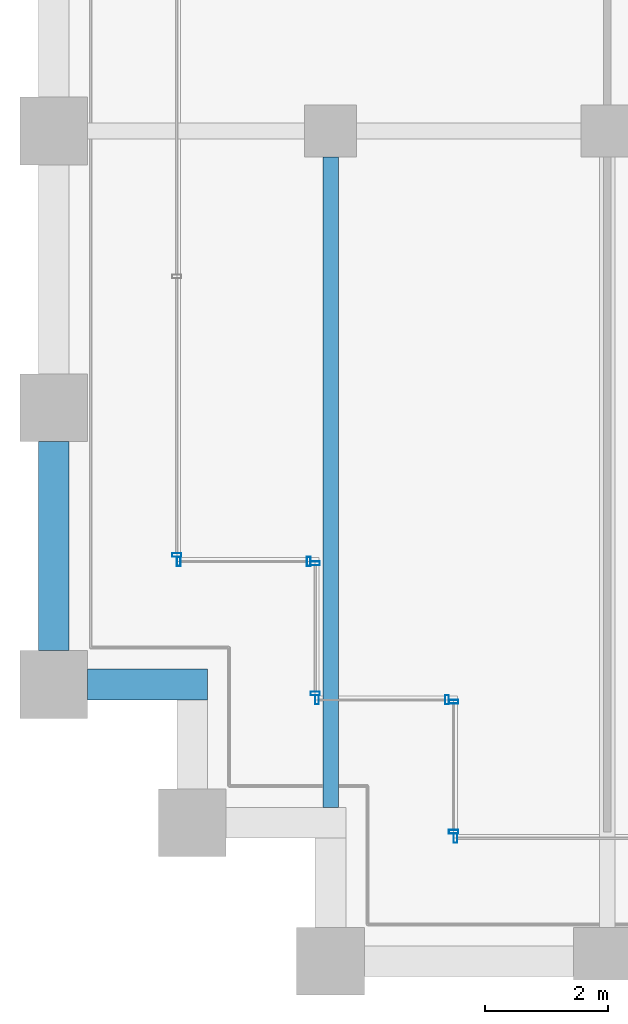
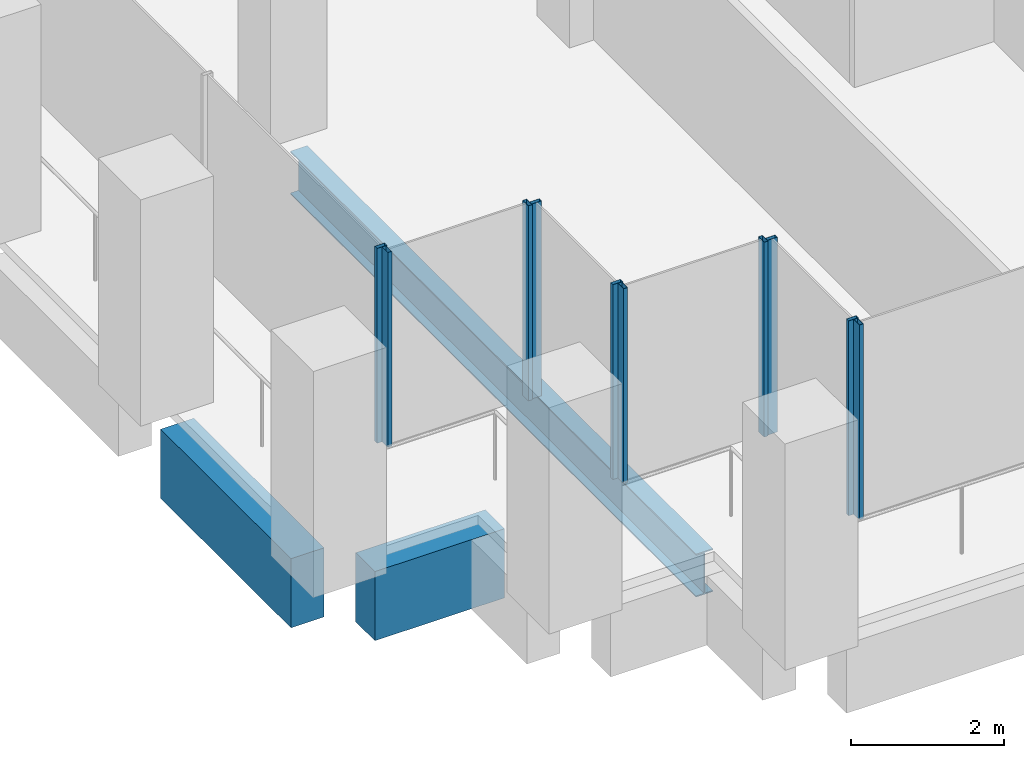
# One storey, part 2 of 54: 10 members, 3 beams, 6 elements without a shape of their own.
"""IFC4 building model written with IfcOpenShell, lengths in metres."""

from ifc_helpers import new_model, si_unit, direction, frame, origin, origin_2d, place, context, subcontext, project, spatial, rectangle, hollow_rectangle, i_section, extrude, material, material_profile, profile_set, type_object, element, aggregate, save


model = new_model("IFC4")

# Units and contexts
model_context = context("Model", 3, precision=1e-05, world=origin(), true_north=direction((0.0, 1.0)))
body_context = subcontext(model_context, "Body", "Model", "MODEL_VIEW")
ifc_project = project(units=[si_unit("LENGTHUNIT", "METRE"), si_unit("AREAUNIT", "SQUARE_METRE"), si_unit("VOLUMEUNIT", "CUBIC_METRE"), si_unit("PLANEANGLEUNIT", "RADIAN"), si_unit("MASSUNIT", "GRAM", prefix="KILO")], contexts=[model_context])

# Site, building, storey
site_placement = place(None, origin())
site = spatial("IfcSite", under=ifc_project, at=site_placement, CompositionType="ELEMENT")
building_placement = place(site_placement, origin())
building = spatial("IfcBuilding", under=site, at=building_placement, Name="Altepetl Exchange Towers", CompositionType="ELEMENT")
storey_placement = place(building_placement, frame((0.0, 0.0, 65.39990234375)))
storey = spatial("IfcBuildingStorey", under=building, at=storey_placement, Name="L15", CompositionType="ELEMENT", Elevation=65.39990234375)

# Beam
ifc_material_1 = material(Name="Steel S355", Category="steel")
ifc_material_profile_1 = material_profile(ifc_material_1, i_section(OverallWidth=0.25390625, OverallDepth=0.68408203125, WebThickness=0.012451171875, FlangeThickness=0.018798828125, at=origin_2d()), Name="W27X94")
ifc_profile_set_1 = profile_set([ifc_material_profile_1], Name="Steel S355")
beam_type_1 = type_object("IfcBeamType", Name="Floor beam W27X94", PredefinedType="BEAM", material=ifc_profile_set_1)
beam_1_placement = place(storey_placement, frame((31.5, 29.5, -0.491943359375), z_axis=(0.0, 1.0, 0.0), x_axis=(-1.0, 0.0, 0.0)))
element("IfcBeam", 1, at=beam_1_placement, inside=storey, type_object=beam_type_1, Name="bm:A:L15:012", PredefinedType="BEAM", context=body_context, shape_type="SweptSolid", body=[
    extrude(i_section(OverallWidth=0.25390625, OverallDepth=0.68408203125, WebThickness=0.012451171875, FlangeThickness=0.018798828125, at=origin_2d()), origin(), (0.0, 0.0, 1.0), 10.574951171875),
])

# Curtain wall, member
ifc_material_2 = material(Name="Aluminium 6063-T6 glazing", Category="aluminium")
curtain_wall_type = type_object("IfcCurtainWallType", Name="Loggia glazing system", PredefinedType="NOTDEFINED", material=ifc_material_2)
curtain_wall_1_placement = place(storey_placement, origin())
curtain_wall_1 = element("IfcCurtainWall", 2, at=curtain_wall_1_placement, inside=storey, type_object=curtain_wall_type, Name="CW1 run", PredefinedType="NOTDEFINED")
ifc_material_3 = material(Name="Aluminium 6063-T6", Category="aluminium")
ifc_material_profile_2 = material_profile(ifc_material_3, hollow_rectangle(XDim=0.06005859375, YDim=0.14990234375, WallThickness=0.0029296875, at=origin_2d()), Name="Mullion 60x150 aluminium")
ifc_profile_set_2 = profile_set([ifc_material_profile_2], Name="Aluminium 6063-T6")
member_type = type_object("IfcMemberType", Name="Mullion 60x150 aluminium", PredefinedType="MULLION", material=ifc_profile_set_2)
member_1_placement = place(storey_placement, frame((29.0, 33.60498046875, 0.0), z_axis=(0.0, 0.0, 1.0), x_axis=(0.0, -1.0, 0.0)))
member_1 = element("IfcMember", 3, at=member_1_placement, type_object=member_type, Name="MU1 mullion", PredefinedType="MULLION", context=body_context, shape_type="SweptSolid", body=[
    extrude(hollow_rectangle(XDim=0.06005859375, YDim=0.14990234375, WallThickness=0.0029296875, at=origin_2d()), origin(), (0.0, 0.0, 1.0), 3.10009765625),
])
aggregate(curtain_wall_1, [member_1])

# Curtain wall, members
curtain_wall_2_placement = place(storey_placement, origin())
curtain_wall_2 = element("IfcCurtainWall", 4, at=curtain_wall_2_placement, inside=storey, type_object=curtain_wall_type, Name="CW1 run", PredefinedType="NOTDEFINED")
member_2_placement = place(storey_placement, frame((29.030029296875, 33.5, 0.0)))
member_2 = element("IfcMember", 5, at=member_2_placement, type_object=member_type, Name="MU1 mullion", PredefinedType="MULLION", context=body_context, shape_type="SweptSolid", body=[
    extrude(hollow_rectangle(XDim=0.06005859375, YDim=0.14990234375, WallThickness=0.0029296875, at=origin_2d()), origin(), (0.0, 0.0, 1.0), 3.10009765625),
])
member_3_placement = place(storey_placement, frame((31.14501953125, 33.5, 0.0)))
member_3 = element("IfcMember", 6, at=member_3_placement, type_object=member_type, Name="MU1 mullion", PredefinedType="MULLION", context=body_context, shape_type="SweptSolid", body=[
    extrude(hollow_rectangle(XDim=0.06005859375, YDim=0.14990234375, WallThickness=0.0029296875, at=origin_2d()), origin(), (0.0, 0.0, 1.0), 3.10009765625),
])
aggregate(curtain_wall_2, [member_2, member_3])

curtain_wall_3_placement = place(storey_placement, origin())
curtain_wall_3 = element("IfcCurtainWall", 7, at=curtain_wall_3_placement, inside=storey, type_object=curtain_wall_type, Name="CW1 run", PredefinedType="NOTDEFINED")
member_4_placement = place(storey_placement, frame((31.25, 33.469970703125, 0.0), z_axis=(0.0, 0.0, 1.0), x_axis=(0.0, -1.0, 0.0)))
member_4 = element("IfcMember", 8, at=member_4_placement, type_object=member_type, Name="MU1 mullion", PredefinedType="MULLION", context=body_context, shape_type="SweptSolid", body=[
    extrude(hollow_rectangle(XDim=0.06005859375, YDim=0.14990234375, WallThickness=0.0029296875, at=origin_2d()), origin(), (0.0, 0.0, 1.0), 3.10009765625),
])
member_5_placement = place(storey_placement, frame((31.25, 31.35498046875, 0.0), z_axis=(0.0, 0.0, 1.0), x_axis=(0.0, -1.0, 0.0)))
member_5 = element("IfcMember", 9, at=member_5_placement, type_object=member_type, Name="MU1 mullion", PredefinedType="MULLION", context=body_context, shape_type="SweptSolid", body=[
    extrude(hollow_rectangle(XDim=0.06005859375, YDim=0.14990234375, WallThickness=0.0029296875, at=origin_2d()), origin(), (0.0, 0.0, 1.0), 3.10009765625),
])
aggregate(curtain_wall_3, [member_4, member_5])

curtain_wall_4_placement = place(storey_placement, origin())
curtain_wall_4 = element("IfcCurtainWall", 10, at=curtain_wall_4_placement, inside=storey, type_object=curtain_wall_type, Name="CW1 run", PredefinedType="NOTDEFINED")
member_6_placement = place(storey_placement, frame((31.280029296875, 31.25, 0.0)))
member_6 = element("IfcMember", 11, at=member_6_placement, type_object=member_type, Name="MU1 mullion", PredefinedType="MULLION", context=body_context, shape_type="SweptSolid", body=[
    extrude(hollow_rectangle(XDim=0.06005859375, YDim=0.14990234375, WallThickness=0.0029296875, at=origin_2d()), origin(), (0.0, 0.0, 1.0), 3.10009765625),
])
member_7_placement = place(storey_placement, frame((33.39501953125, 31.25, 0.0)))
member_7 = element("IfcMember", 12, at=member_7_placement, type_object=member_type, Name="MU1 mullion", PredefinedType="MULLION", context=body_context, shape_type="SweptSolid", body=[
    extrude(hollow_rectangle(XDim=0.06005859375, YDim=0.14990234375, WallThickness=0.0029296875, at=origin_2d()), origin(), (0.0, 0.0, 1.0), 3.10009765625),
])
aggregate(curtain_wall_4, [member_6, member_7])

curtain_wall_5_placement = place(storey_placement, origin())
curtain_wall_5 = element("IfcCurtainWall", 13, at=curtain_wall_5_placement, inside=storey, type_object=curtain_wall_type, Name="CW1 run", PredefinedType="NOTDEFINED")
member_8_placement = place(storey_placement, frame((33.5, 31.219970703125, 0.0), z_axis=(0.0, 0.0, 1.0), x_axis=(0.0, -1.0, 0.0)))
member_8 = element("IfcMember", 14, at=member_8_placement, type_object=member_type, Name="MU1 mullion", PredefinedType="MULLION", context=body_context, shape_type="SweptSolid", body=[
    extrude(hollow_rectangle(XDim=0.06005859375, YDim=0.14990234375, WallThickness=0.0029296875, at=origin_2d()), origin(), (0.0, 0.0, 1.0), 3.10009765625),
])
member_9_placement = place(storey_placement, frame((33.5, 29.10498046875, 0.0), z_axis=(0.0, 0.0, 1.0), x_axis=(0.0, -1.0, 0.0)))
member_9 = element("IfcMember", 15, at=member_9_placement, type_object=member_type, Name="MU1 mullion", PredefinedType="MULLION", context=body_context, shape_type="SweptSolid", body=[
    extrude(hollow_rectangle(XDim=0.06005859375, YDim=0.14990234375, WallThickness=0.0029296875, at=origin_2d()), origin(), (0.0, 0.0, 1.0), 3.10009765625),
])
aggregate(curtain_wall_5, [member_8, member_9])

# Curtain wall, member
curtain_wall_6_placement = place(storey_placement, origin())
curtain_wall_6 = element("IfcCurtainWall", 16, at=curtain_wall_6_placement, inside=storey, type_object=curtain_wall_type, Name="CW1 run", PredefinedType="NOTDEFINED")
member_10_placement = place(storey_placement, frame((33.530029296875, 29.0, 0.0)))
member_10 = element("IfcMember", 17, at=member_10_placement, type_object=member_type, Name="MU1 mullion", PredefinedType="MULLION", context=body_context, shape_type="SweptSolid", body=[
    extrude(hollow_rectangle(XDim=0.06005859375, YDim=0.14990234375, WallThickness=0.0029296875, at=origin_2d()), origin(), (0.0, 0.0, 1.0), 3.10009765625),
])
aggregate(curtain_wall_6, [member_10])

# Beams
ifc_material_4 = material(Name="Concrete C50/60 precast with cantera blanca facing", Category="concrete")
ifc_material_profile_3 = material_profile(ifc_material_4, rectangle(XDim=0.5, YDim=1.10009765625, at=origin_2d()), Name="500 x 1100")
ifc_profile_set_3 = profile_set([ifc_material_profile_3], Name="Concrete C50/60 precast with cantera blanca facing")
beam_type_2 = type_object("IfcBeamType", Name="Spandrel beam 500x1100 cantera blanca", PredefinedType="SPANDREL", material=ifc_profile_set_3)
beam_2_placement = place(storey_placement, frame((27.0, 35.449951171875, -0.699951171875), z_axis=(0.0, -1.0, 0.0), x_axis=(1.0, 0.0, 0.0)))
element("IfcBeam", 18, at=beam_2_placement, inside=storey, type_object=beam_type_2, Name="sp:A:L15:043", PredefinedType="SPANDREL", context=body_context, shape_type="SweptSolid", body=[
    extrude(rectangle(XDim=0.5, YDim=1.10009765625, at=origin_2d()), origin(), (0.0, 0.0, 1.0), 3.39990234375),
])
beam_3_placement = place(storey_placement, frame((27.550048828125, 31.5, -0.699951171875), z_axis=(1.0, 0.0, 0.0), x_axis=(0.0, 1.0, 0.0)))
element("IfcBeam", 19, at=beam_3_placement, inside=storey, type_object=beam_type_2, Name="sp:A:L15:044", PredefinedType="SPANDREL", context=body_context, shape_type="SweptSolid", body=[
    extrude(rectangle(XDim=0.5, YDim=1.10009765625, at=origin_2d()), origin(), (0.0, 0.0, 1.0), 1.949951171875),
])

save(model, "model.ifc")
